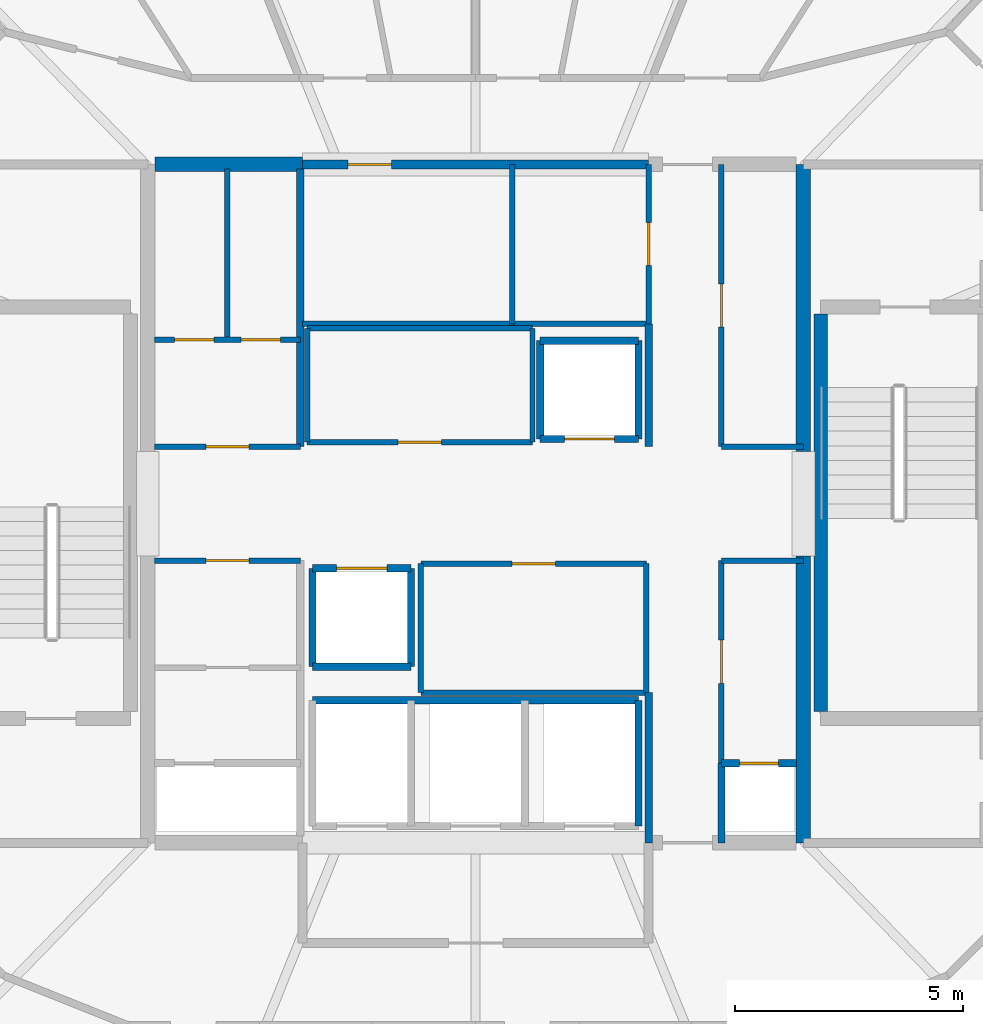
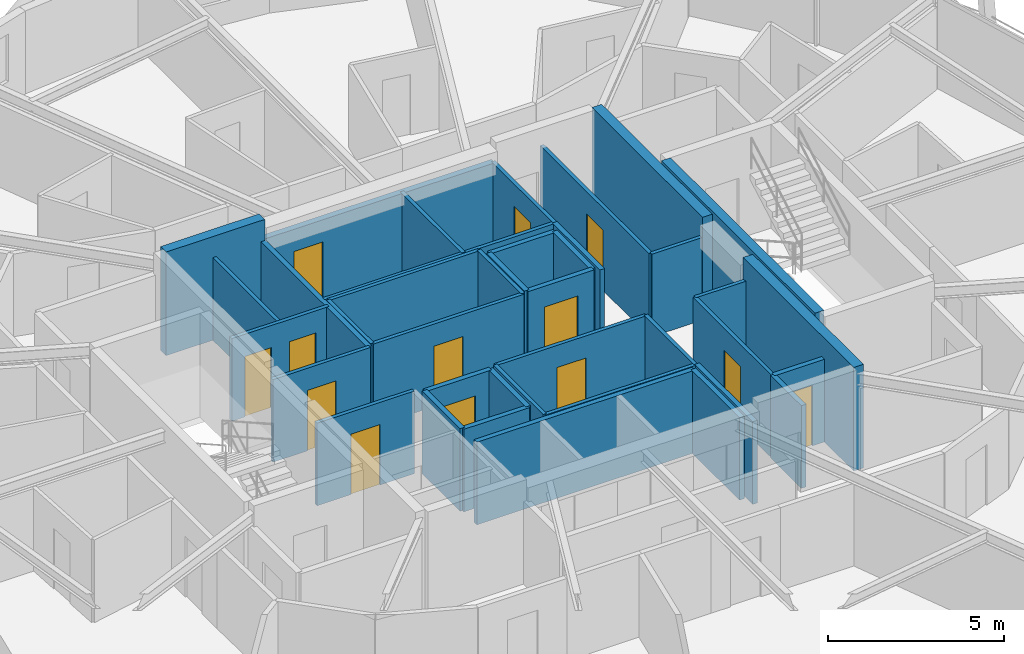
# One storey, part 12 of 15: 39 walls, 13 doors, 13 openings.
"""IFC4 building model written with IfcOpenShell, lengths in metres."""

from ifc_helpers import new_model, si_unit, direction, frame, frame_2d, origin, place, context, subcontext, project, spatial, rectangle, extrude, material, layer, layer_set, type_object, element, fill, save


model = new_model("IFC4")

# Units and contexts
model_context = context("Model", 3, precision=1e-05, world=origin(), true_north=direction((0.0, 1.0)))
body_context = subcontext(model_context, "Body", "Model", "MODEL_VIEW")
ifc_project = project(units=[si_unit("LENGTHUNIT", "METRE"), si_unit("AREAUNIT", "SQUARE_METRE"), si_unit("VOLUMEUNIT", "CUBIC_METRE"), si_unit("PLANEANGLEUNIT", "RADIAN"), si_unit("MASSUNIT", "GRAM", prefix="KILO")], contexts=[model_context])

# Site, building, storey
site_placement = place(None, origin())
site = spatial("IfcSite", under=ifc_project, at=site_placement, CompositionType="ELEMENT")
building_placement = place(site_placement, origin())
building = spatial("IfcBuilding", under=site, at=building_placement, Name="Veldorina Hangang Commons", CompositionType="ELEMENT")
storey_placement = place(building_placement, frame((0.0, 0.0, 254.39990234375)))
storey = spatial("IfcBuildingStorey", under=building, at=storey_placement, Name="L66", CompositionType="ELEMENT", Elevation=254.39990234375)

# Walls
ifc_material_1 = material(Name="Concrete C50/60", Category="concrete")
ifc_layer_1 = layer(ifc_material_1, 0.320068359375)
ifc_layer_set_1 = layer_set([ifc_layer_1], Name="Concrete C50/60")
wall_type_1 = type_object("IfcWallType", Name="CW-RC320-C50", PredefinedType="SHEAR", material=ifc_layer_set_1)
for number, where, z_axis, x_axis, name in (
    (1, (39.199951171875, 16.550048828125, 0.0), (0.0, 0.0, 1.0), (0.0, 1.0, 0.0), "L66 E south core shear wall"),
    (2, (39.199951171875, 25.14990234375, 0.0), (0.0, 0.0, 1.0), (0.0, 1.0, 0.0), "L66 E north core shear wall"),
):
    element("IfcWall", number, at=place(storey_placement, frame(where, z_axis=z_axis, x_axis=x_axis)), inside=storey, type_object=wall_type_1, Name=name, PredefinedType="SHEAR", context=body_context, shape_type="SweptSolid", body=[
        extrude(rectangle(XDim=6.300048828125, YDim=0.320068359375, at=frame_2d((3.14990234375, 0.0))), origin(), (0.0, 0.0, 1.0), 3.60009765625),
    ])
wall_1_placement = place(storey_placement, frame((24.9599609375, 31.449951171875, 0.0), z_axis=(0.0, 0.0, 1.0), x_axis=(1.0, 0.0, 0.0)))
element("IfcWall", 3, at=wall_1_placement, inside=storey, type_object=wall_type_1, Name="L66 north-west core shear wall", PredefinedType="SHEAR", context=body_context, shape_type="SweptSolid", body=[
    extrude(rectangle(XDim=3.239990234375, YDim=0.320068359375, at=frame_2d((1.6201171875, 0.0))), origin(), (0.0, 0.0, 1.0), 3.60009765625),
])
ifc_layer_2 = layer(ifc_material_1, 0.300048828125)
ifc_layer_set_2 = layer_set([ifc_layer_2], Name="Concrete C50/60")
wall_type_2 = type_object("IfcWallType", Name="SW-STAIR-300", PredefinedType="SHEAR", material=ifc_layer_set_2)
wall_2_placement = place(storey_placement, frame((39.580078125, 19.429931640625, 0.0), z_axis=(0.0, 0.0, 1.0), x_axis=(0.0, 1.0, 0.0)))
element("IfcWall", 4, at=wall_2_placement, inside=storey, type_object=wall_type_2, Name="L66 ST2 inner stair shear wall", PredefinedType="SHEAR", context=body_context, shape_type="SweptSolid", body=[
    extrude(rectangle(XDim=8.739990234375, YDim=0.300048828125, at=frame_2d((4.3701171875, 0.0))), origin(), (0.0, 0.0, 1.0), 3.60009765625),
])
ifc_material_2 = material(Name="Gypsum Fire-Rated Twin Stud Wall", Category="gypsum")
ifc_layer_3 = layer(ifc_material_2, 0.159912109375)
ifc_layer_set_3 = layer_set([ifc_layer_3], Name="Gypsum Fire-Rated Twin Stud Wall")
wall_type_3 = type_object("IfcWallType", Name="WL-FIRE-160", PredefinedType="SOLIDWALL", material=ifc_layer_set_3)
wall_3_placement = place(storey_placement, frame((35.800048828125, 16.550048828125, 0.0), z_axis=(0.0, 0.0, 1.0), x_axis=(0.0, 1.0, 0.0)))
element("IfcWall", 5, at=wall_3_placement, inside=storey, type_object=wall_type_3, Name="L66 Lift passage SW wall 009", PredefinedType="SOLIDWALL", context=body_context, shape_type="SweptSolid", body=[
    extrude(rectangle(XDim=3.300048828125, YDim=0.159912109375, at=frame_2d((1.64990234375, 0.0))), origin(), (0.0, 0.0, 1.0), 2.8701171875),
])
wall_4_placement = place(storey_placement, frame((37.39990234375, 16.550048828125, 0.0), z_axis=(0.0, 0.0, 1.0), x_axis=(0.0, 1.0, 0.0)))
element("IfcWall", 6, at=wall_4_placement, inside=storey, type_object=wall_type_3, Name="L66 Lift passage SE stub 010", PredefinedType="SOLIDWALL", context=body_context, shape_type="SweptSolid", body=[
    extrude(rectangle(XDim=1.75, YDim=0.159912109375, at=frame_2d((0.875, 0.0))), origin(), (0.0, 0.0, 1.0), 2.8701171875),
])
wall_5_placement = place(storey_placement, frame((35.800048828125, 25.25, 0.0), z_axis=(0.0, 0.0, 1.0), x_axis=(0.0, 1.0, 0.0)))
element("IfcWall", 7, at=wall_5_placement, inside=storey, type_object=wall_type_3, Name="L66 Lift passage NW lower wall 011", PredefinedType="SOLIDWALL", context=body_context, shape_type="SweptSolid", body=[
    extrude(rectangle(XDim=2.699951171875, YDim=0.159912109375, at=frame_2d((1.35009765625, 0.0))), origin(), (0.0, 0.0, 1.0), 2.8701171875),
])

# Wall, opening, door
wall_6_placement = place(storey_placement, frame((33.419921875, 25.419921875, 0.0), z_axis=(0.0, 0.0, 1.0), x_axis=(1.0, 0.0, 0.0)))
wall_6 = element("IfcWall", 8, at=wall_6_placement, inside=storey, type_object=wall_type_3, Name="L66 Mid-high front shaft wall 015", PredefinedType="SOLIDWALL", context=body_context, shape_type="SweptSolid", body=[
    extrude(rectangle(XDim=2.16015625, YDim=0.159912109375, at=frame_2d((1.080078125, 0.0))), origin(), (0.0, 0.0, 1.0), 2.8701171875),
])
opening_1_placement = place(wall_6_placement, frame((0.530029296875, 0.0, 0.0)))
opening_1 = element("IfcOpeningElement", 9, at=opening_1_placement, cuts=wall_6, Name="Opening LD-01", PredefinedType="OPENING", context=body_context, shape_type="SweptSolid", body=[
    extrude(rectangle(XDim=1.10009765625, YDim=2.14990234375, at=frame_2d((0.550048828125, 1.074951171875))), frame((0.0, 0.08984375, 0.0), z_axis=(0.0, -1.0, 0.0), x_axis=(1.0, 0.0, 0.0)), (0.0, 0.0, 1.0), 0.179931640625),
])
ifc_material_3 = material(Name="Stainless Steel Brushed Lift Door", Category="steel")
door_type_1 = type_object("IfcDoorType", Name="DR-LIFT-1100", OperationType="SLIDING_TO_LEFT", PredefinedType="DOOR", material=ifc_material_3)
door_1_placement = place(opening_1_placement, origin())
door_1 = element("IfcDoor", 10, at=door_1_placement, inside=storey, type_object=door_type_1, Name="L66 Lift PL-H1 landing door 006", OperationType="SLIDING_TO_RIGHT", OverallHeight=2.14990234375, OverallWidth=1.10009765625, PredefinedType="DOOR", context=body_context, shape_type="SweptSolid", body=[
    extrude(rectangle(XDim=1.10009765625, YDim=2.14990234375, at=frame_2d((0.550048828125, 1.074951171875))), frame((0.0, 0.02490234375, 0.0), z_axis=(0.0, -1.0, 0.0), x_axis=(1.0, 0.0, 0.0)), (0.0, 0.0, 1.0), 0.050048828125),
])
fill(opening_1, door_1)

# Walls
for number, where, z_axis, x_axis, name in (
    (11, (33.419921875, 27.580078125, 0.0), (0.0, 0.0, 1.0), (1.0, 0.0, 0.0), "L66 Mid-high rear shaft wall 016"),
    (12, (33.419921875, 25.419921875, 0.0), (0.0, 0.0, 1.0), (0.0, 1.0, 0.0), "L66 PL-H1 west shaft wall 017"),
    (13, (35.580078125, 25.419921875, 0.0), (0.0, 0.0, 1.0), (0.0, 1.0, 0.0), "L66 PL-H1 east shaft wall 018"),
):
    element("IfcWall", number, at=place(storey_placement, frame(where, z_axis=z_axis, x_axis=x_axis)), inside=storey, type_object=wall_type_3, Name=name, PredefinedType="SOLIDWALL", context=body_context, shape_type="SweptSolid", body=[
        extrude(rectangle(XDim=2.16015625, YDim=0.159912109375, at=frame_2d((1.080078125, 0.0))), origin(), (0.0, 0.0, 1.0), 2.8701171875),
    ])

# Wall, opening, door
wall_7_placement = place(storey_placement, frame((28.419921875, 22.580078125, 0.0), z_axis=(0.0, 0.0, 1.0), x_axis=(1.0, 0.0, 0.0)))
wall_7 = element("IfcWall", 14, at=wall_7_placement, inside=storey, type_object=wall_type_3, Name="L66 Shuttle-high front shaft wall 019", PredefinedType="SOLIDWALL", context=body_context, shape_type="SweptSolid", body=[
    extrude(rectangle(XDim=2.16015625, YDim=0.159912109375, at=frame_2d((1.080078125, 0.0))), origin(), (0.0, 0.0, 1.0), 2.8701171875),
])
opening_2_placement = place(wall_7_placement, frame((0.530029296875, 0.0, 0.0)))
opening_2 = element("IfcOpeningElement", 15, at=opening_2_placement, cuts=wall_7, Name="Opening LD-01", PredefinedType="OPENING", context=body_context, shape_type="SweptSolid", body=[
    extrude(rectangle(XDim=1.10009765625, YDim=2.14990234375, at=frame_2d((0.550048828125, 1.074951171875))), frame((0.0, 0.08984375, 0.0), z_axis=(0.0, -1.0, 0.0), x_axis=(1.0, 0.0, 0.0)), (0.0, 0.0, 1.0), 0.179931640625),
])
door_2_placement = place(opening_2_placement, origin())
door_2 = element("IfcDoor", 16, at=door_2_placement, inside=storey, type_object=door_type_1, Name="L66 Lift PL-H2 landing door 007", OperationType="SLIDING_TO_LEFT", OverallHeight=2.14990234375, OverallWidth=1.10009765625, PredefinedType="DOOR", context=body_context, shape_type="SweptSolid", body=[
    extrude(rectangle(XDim=1.10009765625, YDim=2.14990234375, at=frame_2d((0.550048828125, 1.074951171875))), frame((0.0, 0.02490234375, 0.0), z_axis=(0.0, -1.0, 0.0), x_axis=(1.0, 0.0, 0.0)), (0.0, 0.0, 1.0), 0.050048828125),
])
fill(opening_2, door_2)

# Walls
for number, where, z_axis, x_axis, name in (
    (17, (28.419921875, 20.419921875, 0.0), (0.0, 0.0, 1.0), (1.0, 0.0, 0.0), "L66 Shuttle-high rear shaft wall 020"),
    (18, (28.419921875, 20.419921875, 0.0), (0.0, 0.0, 1.0), (0.0, 1.0, 0.0), "L66 PL-H2 west shaft wall 021"),
    (19, (30.580078125, 20.419921875, 0.0), (0.0, 0.0, 1.0), (0.0, 1.0, 0.0), "L66 PL-H2 east shaft wall 022"),
):
    element("IfcWall", number, at=place(storey_placement, frame(where, z_axis=z_axis, x_axis=x_axis)), inside=storey, type_object=wall_type_3, Name=name, PredefinedType="SOLIDWALL", context=body_context, shape_type="SweptSolid", body=[
        extrude(rectangle(XDim=2.16015625, YDim=0.159912109375, at=frame_2d((1.080078125, 0.0))), origin(), (0.0, 0.0, 1.0), 2.8701171875),
    ])
wall_8_placement = place(storey_placement, frame((28.419921875, 19.679931640625, 0.0), z_axis=(0.0, 0.0, 1.0), x_axis=(1.0, 0.0, 0.0)))
element("IfcWall", 20, at=wall_8_placement, inside=storey, type_object=wall_type_3, Name="L66 Emergency rear shaft wall 024", PredefinedType="SOLIDWALL", context=body_context, shape_type="SweptSolid", body=[
    extrude(rectangle(XDim=7.16015625, YDim=0.159912109375, at=frame_2d((3.580078125, 0.0))), origin(), (0.0, 0.0, 1.0), 2.8701171875),
])
wall_9_placement = place(storey_placement, frame((35.580078125, 16.919921875, 0.0), z_axis=(0.0, 0.0, 1.0), x_axis=(0.0, 1.0, 0.0)))
element("IfcWall", 21, at=wall_9_placement, inside=storey, type_object=wall_type_3, Name="L66 EVL-1 east shaft wall 028", PredefinedType="SOLIDWALL", context=body_context, shape_type="SweptSolid", body=[
    extrude(rectangle(XDim=2.760009765625, YDim=0.159912109375, at=frame_2d((1.3798828125, 0.0))), origin(), (0.0, 0.0, 1.0), 2.8701171875),
])

# Wall, opening, door
wall_10_placement = place(storey_placement, frame((37.39990234375, 18.300048828125, 0.0), z_axis=(0.0, 0.0, 1.0), x_axis=(1.0, 0.0, 0.0)))
wall_10 = element("IfcWall", 22, at=wall_10_placement, inside=storey, type_object=wall_type_3, Name="L66 Plumbing riser wall 043", PredefinedType="SOLIDWALL", context=body_context, shape_type="SweptSolid", body=[
    extrude(rectangle(XDim=1.650146484375, YDim=0.159912109375, at=frame_2d((0.8251953125, 0.0))), origin(), (0.0, 0.0, 1.0), 2.8701171875),
])
opening_3_placement = place(wall_10_placement, frame((0.39501953125, 0.0, 0.0)))
opening_3 = element("IfcOpeningElement", 23, at=opening_3_placement, cuts=wall_10, Name="Opening D-01N", PredefinedType="OPENING", context=body_context, shape_type="SweptSolid", body=[
    extrude(rectangle(XDim=0.860107421875, YDim=2.10009765625, at=frame_2d((0.43017578125, 1.050048828125))), frame((0.0, 0.08984375, 0.0), z_axis=(0.0, -1.0, 0.0), x_axis=(1.0, 0.0, 0.0)), (0.0, 0.0, 1.0), 0.179931640625),
])
ifc_material_4 = material(Name="Timber Fire-Rated Core", Category="wood")
door_type_2 = type_object("IfcDoorType", Name="DR-INT-860", OperationType="SINGLE_SWING_LEFT", PredefinedType="DOOR", material=ifc_material_4)
door_3_placement = place(opening_3_placement, origin())
door_3 = element("IfcDoor", 24, at=door_3_placement, inside=storey, type_object=door_type_2, Name="L66 Plumbing riser access door 016", OperationType="SINGLE_SWING_RIGHT", OverallHeight=2.10009765625, OverallWidth=0.860107421875, PredefinedType="TRAPDOOR", context=body_context, shape_type="SweptSolid", body=[
    extrude(rectangle(XDim=0.860107421875, YDim=2.10009765625, at=frame_2d((0.43017578125, 1.050048828125))), frame((0.0, 0.02490234375, 0.0), z_axis=(0.0, -1.0, 0.0), x_axis=(1.0, 0.0, 0.0)), (0.0, 0.0, 1.0), 0.050048828125),
])
fill(opening_3, door_3)

# Wall
wall_11_placement = place(storey_placement, frame((28.14990234375, 25.25, 0.0), z_axis=(0.0, 0.0, 1.0), x_axis=(0.0, 1.0, 0.0)))
element("IfcWall", 25, at=wall_11_placement, inside=storey, type_object=wall_type_3, Name="L66 NW core inner wall 044", PredefinedType="SOLIDWALL", context=body_context, shape_type="SweptSolid", body=[
    extrude(rectangle(XDim=6.10009765625, YDim=0.159912109375, at=frame_2d((3.050048828125, 0.0))), origin(), (0.0, 0.0, 1.0), 2.8701171875),
])

# Wall, opening, door
ifc_material_5 = material(Name="Concrete Blockwork Fire Wall C30/37", Category="masonry")
ifc_layer_4 = layer(ifc_material_5, 0.199951171875)
ifc_layer_set_4 = layer_set([ifc_layer_4], Name="Concrete Blockwork Fire Wall C30/37")
wall_type_4 = type_object("IfcWallType", Name="WL-FIRE-200", PredefinedType="SOLIDWALL", material=ifc_layer_set_4)
wall_12_placement = place(storey_placement, frame((28.199951171875, 31.449951171875, 0.0), z_axis=(0.0, 0.0, 1.0), x_axis=(1.0, 0.0, 0.0)))
wall_12 = element("IfcWall", 26, at=wall_12_placement, inside=storey, type_object=wall_type_4, Name="L66 Merged north core wall 029", PredefinedType="SOLIDWALL", context=body_context, shape_type="SweptSolid", body=[
    extrude(rectangle(XDim=7.60009765625, YDim=0.199951171875, at=frame_2d((3.800048828125, 0.0))), origin(), (0.0, 0.0, 1.0), 2.8701171875),
])
opening_4_placement = place(wall_12_placement, frame((1.0, 0.0, 0.0)))
opening_4 = element("IfcOpeningElement", 27, at=opening_4_placement, cuts=wall_12, Name="Opening D-02", PredefinedType="OPENING", context=body_context, shape_type="SweptSolid", body=[
    extrude(rectangle(XDim=0.949951171875, YDim=2.10009765625, at=frame_2d((0.47509765625, 1.050048828125))), frame((0.0, 0.10986328125, 0.0), z_axis=(0.0, -1.0, 0.0), x_axis=(1.0, 0.0, 0.0)), (0.0, 0.0, 1.0), 0.219970703125),
])
ifc_material_6 = material(Name="Timber Solid Core Acoustic", Category="wood")
door_type_3 = type_object("IfcDoorType", Name="DR-INT-950", OperationType="SINGLE_SWING_LEFT", PredefinedType="DOOR", material=ifc_material_6)
door_4_placement = place(opening_4_placement, origin())
door_4 = element("IfcDoor", 28, at=door_4_placement, inside=storey, type_object=door_type_3, Name="L66 Core study alcove door 011", OperationType="SINGLE_SWING_LEFT", OverallHeight=2.10009765625, OverallWidth=0.949951171875, PredefinedType="DOOR", context=body_context, shape_type="SweptSolid", body=[
    extrude(rectangle(XDim=0.949951171875, YDim=2.10009765625, at=frame_2d((0.47509765625, 1.050048828125))), frame((0.0, 0.02490234375, 0.0), z_axis=(0.0, -1.0, 0.0), x_axis=(1.0, 0.0, 0.0)), (0.0, 0.0, 1.0), 0.050048828125),
])
fill(opening_4, door_4)

# Wall
ifc_material_7 = material(Name="Gypsum Acoustic Stud Partition", Category="gypsum")
ifc_layer_5 = layer(ifc_material_7, 0.1201171875)
ifc_layer_set_5 = layer_set([ifc_layer_5], Name="Gypsum Acoustic Stud Partition")
wall_type_5 = type_object("IfcWallType", Name="WL-PART-120", PredefinedType="PARTITIONING", material=ifc_layer_set_5)
wall_13_placement = place(storey_placement, frame((28.199951171875, 27.949951171875, 0.0), z_axis=(0.0, 0.0, 1.0), x_axis=(1.0, 0.0, 0.0)))
element("IfcWall", 29, at=wall_13_placement, inside=storey, type_object=wall_type_5, Name="L66 Merged north south wall 030", PredefinedType="PARTITIONING", context=body_context, shape_type="SweptSolid", body=[
    extrude(rectangle(XDim=7.60009765625, YDim=0.1201171875, at=frame_2d((3.800048828125, 0.0))), origin(), (0.0, 0.0, 1.0), 2.8701171875),
])

# Wall, opening, door
wall_14_placement = place(storey_placement, frame((35.800048828125, 27.949951171875, 0.0), z_axis=(0.0, 0.0, 1.0), x_axis=(0.0, 1.0, 0.0)))
wall_14 = element("IfcWall", 30, at=wall_14_placement, inside=storey, type_object=wall_type_5, Name="L66 Merged north east wall 031", PredefinedType="PARTITIONING", context=body_context, shape_type="SweptSolid", body=[
    extrude(rectangle(XDim=3.5, YDim=0.1201171875, at=frame_2d((1.75, 0.0))), origin(), (0.0, 0.0, 1.0), 2.8701171875),
])
opening_5_placement = place(wall_14_placement, frame((1.27490234375, 0.0, 0.0)))
opening_5 = element("IfcOpeningElement", 31, at=opening_5_placement, cuts=wall_14, Name="Opening D-02", PredefinedType="OPENING", context=body_context, shape_type="SweptSolid", body=[
    extrude(rectangle(XDim=0.949951171875, YDim=2.10009765625, at=frame_2d((0.47509765625, 1.050048828125))), frame((0.0, 0.070068359375, 0.0), z_axis=(0.0, -1.0, 0.0), x_axis=(1.0, 0.0, 0.0)), (0.0, 0.0, 1.0), 0.14013671875),
])
door_5_placement = place(opening_5_placement, origin())
door_5 = element("IfcDoor", 32, at=door_5_placement, inside=storey, type_object=door_type_3, Name="L66 Core linen store door 012", OperationType="SINGLE_SWING_RIGHT", OverallHeight=2.10009765625, OverallWidth=0.949951171875, PredefinedType="DOOR", context=body_context, shape_type="SweptSolid", body=[
    extrude(rectangle(XDim=0.949951171875, YDim=2.10009765625, at=frame_2d((0.47509765625, 1.050048828125))), frame((0.0, 0.02490234375, 0.0), z_axis=(0.0, -1.0, 0.0), x_axis=(1.0, 0.0, 0.0)), (0.0, 0.0, 1.0), 0.050048828125),
])
fill(opening_5, door_5)

# Wall
wall_15_placement = place(storey_placement, frame((32.800048828125, 27.949951171875, 0.0), z_axis=(0.0, 0.0, 1.0), x_axis=(0.0, 1.0, 0.0)))
element("IfcWall", 33, at=wall_15_placement, inside=storey, type_object=wall_type_5, Name="L66 Merged north split wall 032", PredefinedType="PARTITIONING", context=body_context, shape_type="SweptSolid", body=[
    extrude(rectangle(XDim=3.5, YDim=0.1201171875, at=frame_2d((1.75, 0.0))), origin(), (0.0, 0.0, 1.0), 2.8701171875),
])

# Wall, opening, door
wall_16_placement = place(storey_placement, frame((28.300048828125, 25.35009765625, 0.0), z_axis=(0.0, 0.0, 1.0), x_axis=(1.0, 0.0, 0.0)))
wall_16 = element("IfcWall", 34, at=wall_16_placement, inside=storey, type_object=wall_type_5, Name="L66 Merged mid-bank south wall 033", PredefinedType="PARTITIONING", context=body_context, shape_type="SweptSolid", body=[
    extrude(rectangle(XDim=4.949951171875, YDim=0.1201171875, at=frame_2d((2.47509765625, 0.0))), origin(), (0.0, 0.0, 1.0), 2.8701171875),
])
opening_6_placement = place(wall_16_placement, frame((2.0, 0.0, 0.0)))
opening_6 = element("IfcOpeningElement", 35, at=opening_6_placement, cuts=wall_16, Name="Opening D-02", PredefinedType="OPENING", context=body_context, shape_type="SweptSolid", body=[
    extrude(rectangle(XDim=0.949951171875, YDim=2.10009765625, at=frame_2d((0.47509765625, 1.050048828125))), frame((0.0, 0.070068359375, 0.0), z_axis=(0.0, -1.0, 0.0), x_axis=(1.0, 0.0, 0.0)), (0.0, 0.0, 1.0), 0.14013671875),
])
door_6_placement = place(opening_6_placement, origin())
door_6 = element("IfcDoor", 36, at=door_6_placement, inside=storey, type_object=door_type_3, Name="L66 Quiet study room door 013", OperationType="SINGLE_SWING_LEFT", OverallHeight=2.10009765625, OverallWidth=0.949951171875, PredefinedType="DOOR", context=body_context, shape_type="SweptSolid", body=[
    extrude(rectangle(XDim=0.949951171875, YDim=2.10009765625, at=frame_2d((0.47509765625, 1.050048828125))), frame((0.0, 0.02490234375, 0.0), z_axis=(0.0, -1.0, 0.0), x_axis=(1.0, 0.0, 0.0)), (0.0, 0.0, 1.0), 0.050048828125),
])
fill(opening_6, door_6)

# Walls
wall_17_placement = place(storey_placement, frame((28.300048828125, 27.85009765625, 0.0), z_axis=(0.0, 0.0, 1.0), x_axis=(1.0, 0.0, 0.0)))
element("IfcWall", 37, at=wall_17_placement, inside=storey, type_object=wall_type_5, Name="L66 Merged mid-bank north wall 034", PredefinedType="PARTITIONING", context=body_context, shape_type="SweptSolid", body=[
    extrude(rectangle(XDim=4.949951171875, YDim=0.1201171875, at=frame_2d((2.47509765625, 0.0))), origin(), (0.0, 0.0, 1.0), 2.8701171875),
])
for number, where, z_axis, x_axis, name in (
    (38, (28.300048828125, 25.35009765625, 0.0), (0.0, 0.0, 1.0), (0.0, 1.0, 0.0), "L66 Merged mid-bank west wall 035"),
    (39, (33.25, 25.35009765625, 0.0), (0.0, 0.0, 1.0), (0.0, 1.0, 0.0), "L66 Merged mid-bank east wall 036"),
):
    element("IfcWall", number, at=place(storey_placement, frame(where, z_axis=z_axis, x_axis=x_axis)), inside=storey, type_object=wall_type_5, Name=name, PredefinedType="PARTITIONING", context=body_context, shape_type="SweptSolid", body=[
        extrude(rectangle(XDim=2.5, YDim=0.1201171875, at=frame_2d((1.25, 0.0))), origin(), (0.0, 0.0, 1.0), 2.8701171875),
    ])

# Wall, opening, door
wall_18_placement = place(storey_placement, frame((30.800048828125, 22.679931640625, 0.0), z_axis=(0.0, 0.0, 1.0), x_axis=(1.0, 0.0, 0.0)))
wall_18 = element("IfcWall", 40, at=wall_18_placement, inside=storey, type_object=wall_type_5, Name="L66 Merged shuttle north wall 037", PredefinedType="PARTITIONING", context=body_context, shape_type="SweptSolid", body=[
    extrude(rectangle(XDim=4.949951171875, YDim=0.1201171875, at=frame_2d((2.47509765625, 0.0))), origin(), (0.0, 0.0, 1.0), 2.8701171875),
])
opening_7_placement = place(wall_18_placement, frame((2.0, 0.0, 0.0)))
opening_7 = element("IfcOpeningElement", 41, at=opening_7_placement, cuts=wall_18, Name="Opening D-02", PredefinedType="OPENING", context=body_context, shape_type="SweptSolid", body=[
    extrude(rectangle(XDim=0.949951171875, YDim=2.10009765625, at=frame_2d((0.47509765625, 1.050048828125))), frame((0.0, 0.070068359375, 0.0), z_axis=(0.0, -1.0, 0.0), x_axis=(1.0, 0.0, 0.0)), (0.0, 0.0, 1.0), 0.14013671875),
])
door_7_placement = place(opening_7_placement, origin())
door_7 = element("IfcDoor", 42, at=door_7_placement, inside=storey, type_object=door_type_3, Name="L66 Floor tea pantry door 014", OperationType="SINGLE_SWING_RIGHT", OverallHeight=2.10009765625, OverallWidth=0.949951171875, PredefinedType="DOOR", context=body_context, shape_type="SweptSolid", body=[
    extrude(rectangle(XDim=0.949951171875, YDim=2.10009765625, at=frame_2d((0.47509765625, 1.050048828125))), frame((0.0, 0.02490234375, 0.0), z_axis=(0.0, -1.0, 0.0), x_axis=(1.0, 0.0, 0.0)), (0.0, 0.0, 1.0), 0.050048828125),
])
fill(opening_7, door_7)

# Walls
wall_19_placement = place(storey_placement, frame((30.800048828125, 19.85009765625, 0.0), z_axis=(0.0, 0.0, 1.0), x_axis=(1.0, 0.0, 0.0)))
element("IfcWall", 43, at=wall_19_placement, inside=storey, type_object=wall_type_5, Name="L66 Merged shuttle south wall 038", PredefinedType="PARTITIONING", context=body_context, shape_type="SweptSolid", body=[
    extrude(rectangle(XDim=4.949951171875, YDim=0.1201171875, at=frame_2d((2.47509765625, 0.0))), origin(), (0.0, 0.0, 1.0), 2.8701171875),
])
for number, where, z_axis, x_axis, name in (
    (44, (30.800048828125, 19.85009765625, 0.0), (0.0, 0.0, 1.0), (0.0, 1.0, 0.0), "L66 Merged shuttle west wall 039"),
    (45, (35.75, 19.85009765625, 0.0), (0.0, 0.0, 1.0), (0.0, 1.0, 0.0), "L66 Merged shuttle east wall 040"),
):
    element("IfcWall", number, at=place(storey_placement, frame(where, z_axis=z_axis, x_axis=x_axis)), inside=storey, type_object=wall_type_5, Name=name, PredefinedType="PARTITIONING", context=body_context, shape_type="SweptSolid", body=[
        extrude(rectangle(XDim=2.829833984375, YDim=0.1201171875, at=frame_2d((1.4150390625, 0.0))), origin(), (0.0, 0.0, 1.0), 2.8701171875),
    ])

# Wall, opening, door
wall_20_placement = place(storey_placement, frame((24.949951171875, 25.25, 0.0), z_axis=(0.0, 0.0, 1.0), x_axis=(1.0, 0.0, 0.0)))
wall_20 = element("IfcWall", 46, at=wall_20_placement, inside=storey, type_object=wall_type_5, Name="L66 NW service south wall 045", PredefinedType="PARTITIONING", context=body_context, shape_type="SweptSolid", body=[
    extrude(rectangle(XDim=3.199951171875, YDim=0.1201171875, at=frame_2d((1.60009765625, 0.0))), origin(), (0.0, 0.0, 1.0), 2.8701171875),
])
opening_8_placement = place(wall_20_placement, frame((1.125, 0.0, 0.0)))
opening_8 = element("IfcOpeningElement", 47, at=opening_8_placement, cuts=wall_20, Name="Opening D-02", PredefinedType="OPENING", context=body_context, shape_type="SweptSolid", body=[
    extrude(rectangle(XDim=0.949951171875, YDim=2.10009765625, at=frame_2d((0.47509765625, 1.050048828125))), frame((0.0, 0.070068359375, 0.0), z_axis=(0.0, -1.0, 0.0), x_axis=(1.0, 0.0, 0.0)), (0.0, 0.0, 1.0), 0.14013671875),
])
door_8_placement = place(opening_8_placement, origin())
door_8 = element("IfcDoor", 48, at=door_8_placement, inside=storey, type_object=door_type_3, Name="L66 Utility vestibule door 017", OperationType="SINGLE_SWING_LEFT", OverallHeight=2.10009765625, OverallWidth=0.949951171875, PredefinedType="DOOR", context=body_context, shape_type="SweptSolid", body=[
    extrude(rectangle(XDim=0.949951171875, YDim=2.10009765625, at=frame_2d((0.47509765625, 1.050048828125))), frame((0.0, 0.02490234375, 0.0), z_axis=(0.0, -1.0, 0.0), x_axis=(1.0, 0.0, 0.0)), (0.0, 0.0, 1.0), 0.050048828125),
])
fill(opening_8, door_8)

wall_21_placement = place(storey_placement, frame((24.949951171875, 22.75, 0.0), z_axis=(0.0, 0.0, 1.0), x_axis=(1.0, 0.0, 0.0)))
wall_21 = element("IfcWall", 49, at=wall_21_placement, inside=storey, type_object=wall_type_5, Name="L66 SW service north wall 046", PredefinedType="PARTITIONING", context=body_context, shape_type="SweptSolid", body=[
    extrude(rectangle(XDim=3.199951171875, YDim=0.1201171875, at=frame_2d((1.60009765625, 0.0))), origin(), (0.0, 0.0, 1.0), 2.8701171875),
])
opening_9_placement = place(wall_21_placement, frame((1.125, 0.0, 0.0)))
opening_9 = element("IfcOpeningElement", 50, at=opening_9_placement, cuts=wall_21, Name="Opening D-02", PredefinedType="OPENING", context=body_context, shape_type="SweptSolid", body=[
    extrude(rectangle(XDim=0.949951171875, YDim=2.10009765625, at=frame_2d((0.47509765625, 1.050048828125))), frame((0.0, 0.070068359375, 0.0), z_axis=(0.0, -1.0, 0.0), x_axis=(1.0, 0.0, 0.0)), (0.0, 0.0, 1.0), 0.14013671875),
])
door_9_placement = place(opening_9_placement, origin())
door_9 = element("IfcDoor", 51, at=door_9_placement, inside=storey, type_object=door_type_3, Name="L66 Recycling room door 020", OperationType="SINGLE_SWING_RIGHT", OverallHeight=2.10009765625, OverallWidth=0.949951171875, PredefinedType="DOOR", context=body_context, shape_type="SweptSolid", body=[
    extrude(rectangle(XDim=0.949951171875, YDim=2.10009765625, at=frame_2d((0.47509765625, 1.050048828125))), frame((0.0, 0.02490234375, 0.0), z_axis=(0.0, -1.0, 0.0), x_axis=(1.0, 0.0, 0.0)), (0.0, 0.0, 1.0), 0.050048828125),
])
fill(opening_9, door_9)

wall_22_placement = place(storey_placement, frame((37.39990234375, 25.25, 0.0), z_axis=(0.0, 0.0, 1.0), x_axis=(0.0, 1.0, 0.0)))
wall_22 = element("IfcWall", 52, at=wall_22_placement, inside=storey, type_object=wall_type_5, Name="L66 NE strip lobby wall 047", PredefinedType="PARTITIONING", context=body_context, shape_type="SweptSolid", body=[
    extrude(rectangle(XDim=6.199951171875, YDim=0.1201171875, at=frame_2d((3.10009765625, 0.0))), origin(), (0.0, 0.0, 1.0), 2.8701171875),
])
opening_10_placement = place(wall_22_placement, frame((2.625, 0.0, 0.0)))
opening_10 = element("IfcOpeningElement", 53, at=opening_10_placement, cuts=wall_22, Name="Opening D-02", PredefinedType="OPENING", context=body_context, shape_type="SweptSolid", body=[
    extrude(rectangle(XDim=0.949951171875, YDim=2.10009765625, at=frame_2d((0.47509765625, 1.050048828125))), frame((0.0, 0.070068359375, 0.0), z_axis=(0.0, -1.0, 0.0), x_axis=(1.0, 0.0, 0.0)), (0.0, 0.0, 1.0), 0.14013671875),
])
door_10_placement = place(opening_10_placement, origin())
door_10 = element("IfcDoor", 54, at=door_10_placement, inside=storey, type_object=door_type_3, Name="L66 Switchboard door 022", OperationType="SINGLE_SWING_RIGHT", OverallHeight=2.10009765625, OverallWidth=0.949951171875, PredefinedType="DOOR", context=body_context, shape_type="SweptSolid", body=[
    extrude(rectangle(XDim=0.949951171875, YDim=2.10009765625, at=frame_2d((0.47509765625, 1.050048828125))), frame((0.0, 0.02490234375, 0.0), z_axis=(0.0, -1.0, 0.0), x_axis=(1.0, 0.0, 0.0)), (0.0, 0.0, 1.0), 0.050048828125),
])
fill(opening_10, door_10)

# Wall
wall_23_placement = place(storey_placement, frame((37.39990234375, 25.25, 0.0), z_axis=(0.0, 0.0, 1.0), x_axis=(1.0, 0.0, 0.0)))
element("IfcWall", 55, at=wall_23_placement, inside=storey, type_object=wall_type_5, Name="L66 NE strip south return wall 048", PredefinedType="PARTITIONING", context=body_context, shape_type="SweptSolid", body=[
    extrude(rectangle(XDim=1.800048828125, YDim=0.1201171875, at=frame_2d((0.89990234375, 0.0))), origin(), (0.0, 0.0, 1.0), 2.8701171875),
])

# Wall, opening, door
wall_24_placement = place(storey_placement, frame((37.39990234375, 18.300048828125, 0.0), z_axis=(0.0, 0.0, 1.0), x_axis=(0.0, 1.0, 0.0)))
wall_24 = element("IfcWall", 56, at=wall_24_placement, inside=storey, type_object=wall_type_5, Name="L66 SE strip lobby wall 049", PredefinedType="PARTITIONING", context=body_context, shape_type="SweptSolid", body=[
    extrude(rectangle(XDim=4.449951171875, YDim=0.1201171875, at=frame_2d((2.22509765625, 0.0))), origin(), (0.0, 0.0, 1.0), 2.8701171875),
])
opening_11_placement = place(wall_24_placement, frame((1.75, 0.0, 0.0)))
opening_11 = element("IfcOpeningElement", 57, at=opening_11_placement, cuts=wall_24, Name="Opening D-02", PredefinedType="OPENING", context=body_context, shape_type="SweptSolid", body=[
    extrude(rectangle(XDim=0.949951171875, YDim=2.10009765625, at=frame_2d((0.47509765625, 1.050048828125))), frame((0.0, 0.070068359375, 0.0), z_axis=(0.0, -1.0, 0.0), x_axis=(1.0, 0.0, 0.0)), (0.0, 0.0, 1.0), 0.14013671875),
])
door_11_placement = place(opening_11_placement, origin())
door_11 = element("IfcDoor", 58, at=door_11_placement, inside=storey, type_object=door_type_3, Name="L66 Telemetry door 023", OperationType="SINGLE_SWING_LEFT", OverallHeight=2.10009765625, OverallWidth=0.949951171875, PredefinedType="DOOR", context=body_context, shape_type="SweptSolid", body=[
    extrude(rectangle(XDim=0.949951171875, YDim=2.10009765625, at=frame_2d((0.47509765625, 1.050048828125))), frame((0.0, 0.02490234375, 0.0), z_axis=(0.0, -1.0, 0.0), x_axis=(1.0, 0.0, 0.0)), (0.0, 0.0, 1.0), 0.050048828125),
])
fill(opening_11, door_11)

# Wall
wall_25_placement = place(storey_placement, frame((37.39990234375, 22.75, 0.0), z_axis=(0.0, 0.0, 1.0), x_axis=(1.0, 0.0, 0.0)))
element("IfcWall", 59, at=wall_25_placement, inside=storey, type_object=wall_type_5, Name="L66 SE strip north return wall 050", PredefinedType="PARTITIONING", context=body_context, shape_type="SweptSolid", body=[
    extrude(rectangle(XDim=1.800048828125, YDim=0.1201171875, at=frame_2d((0.89990234375, 0.0))), origin(), (0.0, 0.0, 1.0), 2.8701171875),
])

# Wall, openings, doors
wall_26_placement = place(storey_placement, frame((24.949951171875, 27.60009765625, 0.0), z_axis=(0.0, 0.0, 1.0), x_axis=(1.0, 0.0, 0.0)))
wall_26 = element("IfcWall", 60, at=wall_26_placement, inside=storey, type_object=wall_type_5, Name="L66 NW lower split 051", PredefinedType="PARTITIONING", context=body_context, shape_type="SweptSolid", body=[
    extrude(rectangle(XDim=3.199951171875, YDim=0.1201171875, at=frame_2d((1.60009765625, 0.0))), origin(), (0.0, 0.0, 1.0), 2.8701171875),
])
opening_12_placement = place(wall_26_placement, frame((0.43994140625, 0.0, 0.0)))
opening_12 = element("IfcOpeningElement", 61, at=opening_12_placement, cuts=wall_26, Name="Opening D-01", PredefinedType="OPENING", context=body_context, shape_type="SweptSolid", body=[
    extrude(rectangle(XDim=0.860107421875, YDim=2.10009765625, at=frame_2d((0.43017578125, 1.050048828125))), frame((0.0, 0.070068359375, 0.0), z_axis=(0.0, -1.0, 0.0), x_axis=(1.0, 0.0, 0.0)), (0.0, 0.0, 1.0), 0.14013671875),
])
opening_13_placement = place(wall_26_placement, frame((1.89990234375, 0.0, 0.0)))
opening_13 = element("IfcOpeningElement", 62, at=opening_13_placement, cuts=wall_26, Name="Opening D-01", PredefinedType="OPENING", context=body_context, shape_type="SweptSolid", body=[
    extrude(rectangle(XDim=0.860107421875, YDim=2.10009765625, at=frame_2d((0.43017578125, 1.050048828125))), frame((0.0, 0.070068359375, 0.0), z_axis=(0.0, -1.0, 0.0), x_axis=(1.0, 0.0, 0.0)), (0.0, 0.0, 1.0), 0.14013671875),
])
ifc_material_8 = material(Name="Timber Moisture-Resistant Core", Category="wood")
door_type_4 = type_object("IfcDoorType", Name="DR-WET-860", OperationType="SINGLE_SWING_LEFT", PredefinedType="DOOR", material=ifc_material_8)
door_12_placement = place(opening_12_placement, origin())
door_12 = element("IfcDoor", 63, at=door_12_placement, inside=storey, type_object=door_type_4, Name="L66 Store A door 018", OperationType="SINGLE_SWING_RIGHT", OverallHeight=2.10009765625, OverallWidth=0.860107421875, PredefinedType="DOOR", context=body_context, shape_type="SweptSolid", body=[
    extrude(rectangle(XDim=0.860107421875, YDim=2.10009765625, at=frame_2d((0.43017578125, 1.050048828125))), frame((0.0, 0.02490234375, 0.0), z_axis=(0.0, -1.0, 0.0), x_axis=(1.0, 0.0, 0.0)), (0.0, 0.0, 1.0), 0.050048828125),
])
fill(opening_12, door_12)
door_13_placement = place(opening_13_placement, origin())
door_13 = element("IfcDoor", 64, at=door_13_placement, inside=storey, type_object=door_type_4, Name="L66 Store B door 019", OperationType="SINGLE_SWING_LEFT", OverallHeight=2.10009765625, OverallWidth=0.860107421875, PredefinedType="DOOR", context=body_context, shape_type="SweptSolid", body=[
    extrude(rectangle(XDim=0.860107421875, YDim=2.10009765625, at=frame_2d((0.43017578125, 1.050048828125))), frame((0.0, 0.02490234375, 0.0), z_axis=(0.0, -1.0, 0.0), x_axis=(1.0, 0.0, 0.0)), (0.0, 0.0, 1.0), 0.050048828125),
])
fill(opening_13, door_13)

# Wall
wall_27_placement = place(storey_placement, frame((26.550048828125, 27.60009765625, 0.0), z_axis=(0.0, 0.0, 1.0), x_axis=(0.0, 1.0, 0.0)))
element("IfcWall", 65, at=wall_27_placement, inside=storey, type_object=wall_type_5, Name="L66 NW upper vertical split 052", PredefinedType="PARTITIONING", context=body_context, shape_type="SweptSolid", body=[
    extrude(rectangle(XDim=3.75, YDim=0.1201171875, at=frame_2d((1.875, 0.0))), origin(), (0.0, 0.0, 1.0), 2.8701171875),
])

save(model, "model.ifc")
